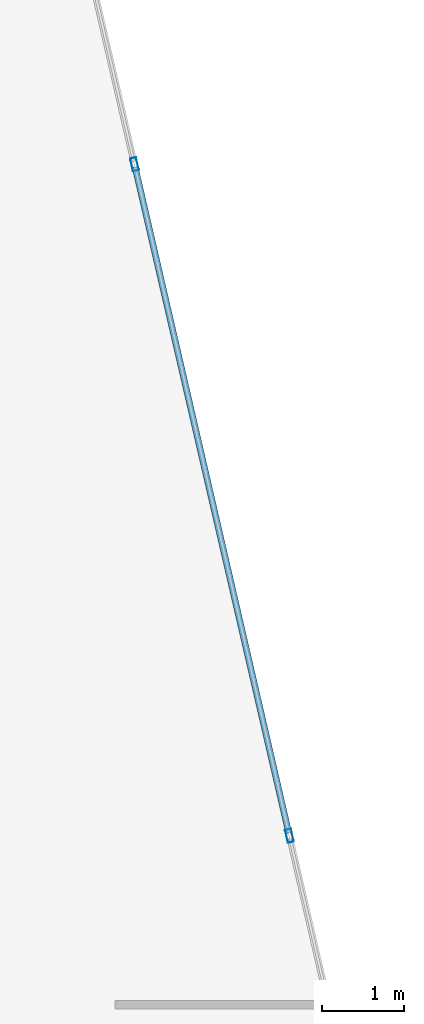
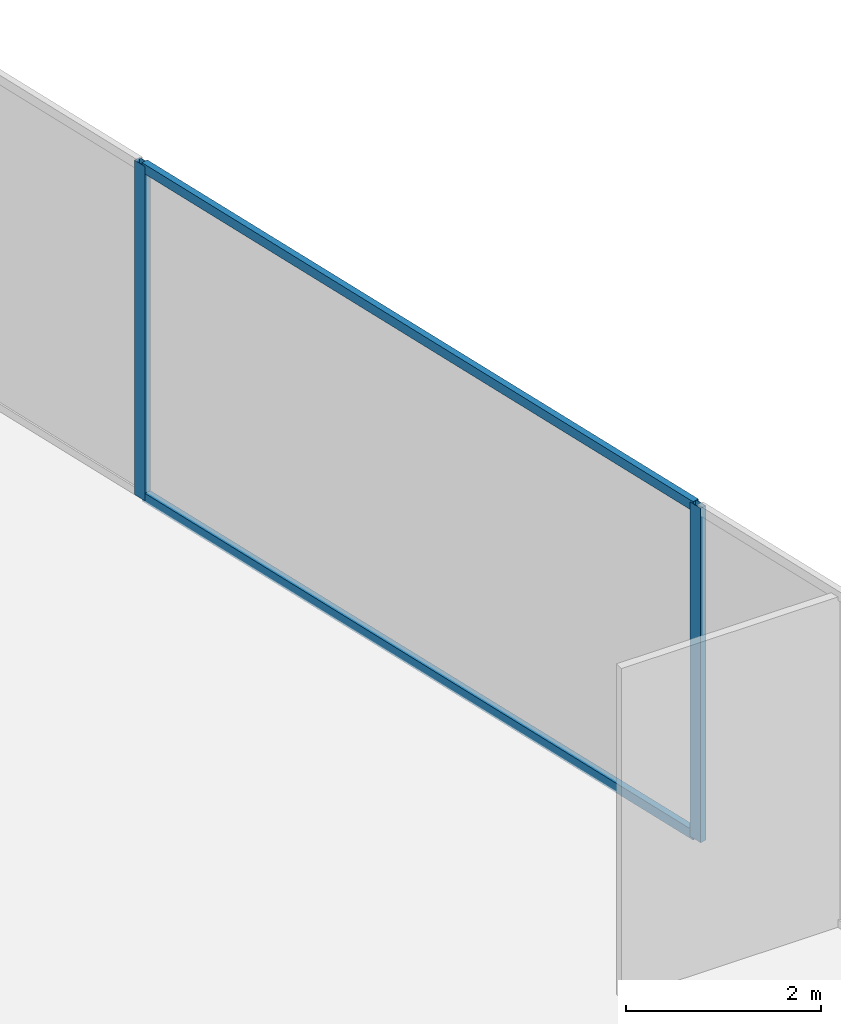
# One storey, part 22 of 31: 4 members, 1 element without a shape of its own.
"""IFC4 building model written with IfcOpenShell, lengths in metres."""

from ifc_helpers import new_model, si_unit, direction, frame, origin, origin_2d, place, context, subcontext, project, spatial, hollow_rectangle, extrude, material, layer, layer_set, material_profile, profile_set, type_object, element, aggregate, save


model = new_model("IFC4")

# Units and contexts
model_context = context("Model", 3, precision=1e-05, world=origin(), true_north=direction((0.0, 1.0)))
body_context = subcontext(model_context, "Body", "Model", "MODEL_VIEW")
ifc_project = project(units=[si_unit("LENGTHUNIT", "METRE"), si_unit("AREAUNIT", "SQUARE_METRE"), si_unit("VOLUMEUNIT", "CUBIC_METRE"), si_unit("PLANEANGLEUNIT", "RADIAN"), si_unit("MASSUNIT", "GRAM", prefix="KILO")], contexts=[model_context])

# Site, building, storey
site_placement = place(None, origin())
site = spatial("IfcSite", under=ifc_project, at=site_placement, CompositionType="ELEMENT")
building_placement = place(site_placement, origin())
building = spatial("IfcBuilding", under=site, at=building_placement, Name="Keshet Zoharim Tower", CompositionType="ELEMENT")
storey_placement = place(building_placement, frame((0.0, 0.0, 183.89990234375)))
storey = spatial("IfcBuildingStorey", under=building, at=storey_placement, Name="L45", CompositionType="ELEMENT", Elevation=183.89990234375)

# Curtain wall, members
ifc_material = material(Name="Aluminium 6063-T6", Category="aluminium")
ifc_layer = layer(ifc_material, 0.139892578125)
ifc_layer_set = layer_set([ifc_layer], Name="Aluminium 6063-T6")
curtain_wall_type = type_object("IfcCurtainWallType", Name="CW-SYS-05", PredefinedType="NOTDEFINED", material=ifc_layer_set)
curtain_wall_placement = place(storey_placement, origin())
curtain_wall = element("IfcCurtainWall", 1, at=curtain_wall_placement, inside=storey, type_object=curtain_wall_type, Name="L45 Unitised Curtain Wall 04", PredefinedType="NOTDEFINED")
ifc_material_profile_1 = material_profile(ifc_material, hollow_rectangle(XDim=0.074951171875, YDim=0.159912109375, WallThickness=0.00390625, at=origin_2d()), Name="MUL-75x160")
ifc_profile_set_1 = profile_set([ifc_material_profile_1], Name="Aluminium 6063-T6")
member_type_1 = type_object("IfcMemberType", Name="CWM-M15", PredefinedType="MULLION", material=ifc_profile_set_1)
member_1_placement = place(storey_placement, frame((41.23876953125, 44.199951171875, 0.0), z_axis=(0.0, 0.0, 1.0), x_axis=(0.974393882313, 0.224847864369, 0.0)))
member_1 = element("IfcMember", 2, at=member_1_placement, type_object=member_type_1, Name="CW-05 mullion 2", PredefinedType="MULLION", context=body_context, shape_type="SweptSolid", body=[
    extrude(hollow_rectangle(XDim=0.074951171875, YDim=0.159912109375, WallThickness=0.00390625, at=origin_2d()), origin(), (0.0, 0.0, 1.0), 4.190185546875),
])
member_2_placement = place(storey_placement, frame((43.119384765625, 36.050048828125, 0.0), z_axis=(0.0, 0.0, 1.0), x_axis=(0.974393882313, 0.224847864369, 0.0)))
member_2 = element("IfcMember", 3, at=member_2_placement, type_object=member_type_1, Name="CW-05 mullion 3", PredefinedType="MULLION", context=body_context, shape_type="SweptSolid", body=[
    extrude(hollow_rectangle(XDim=0.074951171875, YDim=0.159912109375, WallThickness=0.00390625, at=origin_2d()), origin(), (0.0, 0.0, 1.0), 4.190185546875),
])
ifc_material_profile_2 = material_profile(ifc_material, hollow_rectangle(XDim=0.074951171875, YDim=0.1201171875, WallThickness=0.00390625, at=origin_2d()), Name="TRN-75x120")
ifc_profile_set_2 = profile_set([ifc_material_profile_2], Name="Aluminium 6063-T6")
member_type_2 = type_object("IfcMemberType", Name="CWT-T12", PredefinedType="USERDEFINED", material=ifc_profile_set_2)
member_3_placement = place(storey_placement, frame((41.24658203125, 44.166015625, 0.03515625), z_axis=(0.224848758198, -0.974393676055, 0.0), x_axis=(0.974393676055, 0.224848758198, 0.0)))
member_3 = element("IfcMember", 4, at=member_3_placement, type_object=member_type_2, Name="CW-05 transom 2.1", ObjectType="TRANSOM", PredefinedType="USERDEFINED", context=body_context, shape_type="SweptSolid", body=[
    extrude(hollow_rectangle(XDim=0.074951171875, YDim=0.1201171875, WallThickness=0.00390625, at=origin_2d()), origin(), (0.0, 0.0, 1.0), 8.29443359375),
])
member_4_placement = place(storey_placement, frame((41.24658203125, 44.166015625, 4.155029296875), z_axis=(0.224848758198, -0.974393676055, 0.0), x_axis=(0.974393676055, 0.224848758198, 0.0)))
member_4 = element("IfcMember", 5, at=member_4_placement, type_object=member_type_2, Name="CW-05 transom 2.2", ObjectType="TRANSOM", PredefinedType="USERDEFINED", context=body_context, shape_type="SweptSolid", body=[
    extrude(hollow_rectangle(XDim=0.074951171875, YDim=0.1201171875, WallThickness=0.00390625, at=origin_2d()), origin(), (0.0, 0.0, 1.0), 8.29443359375),
])
aggregate(curtain_wall, [member_1, member_2, member_3, member_4])

save(model, "model.ifc")
